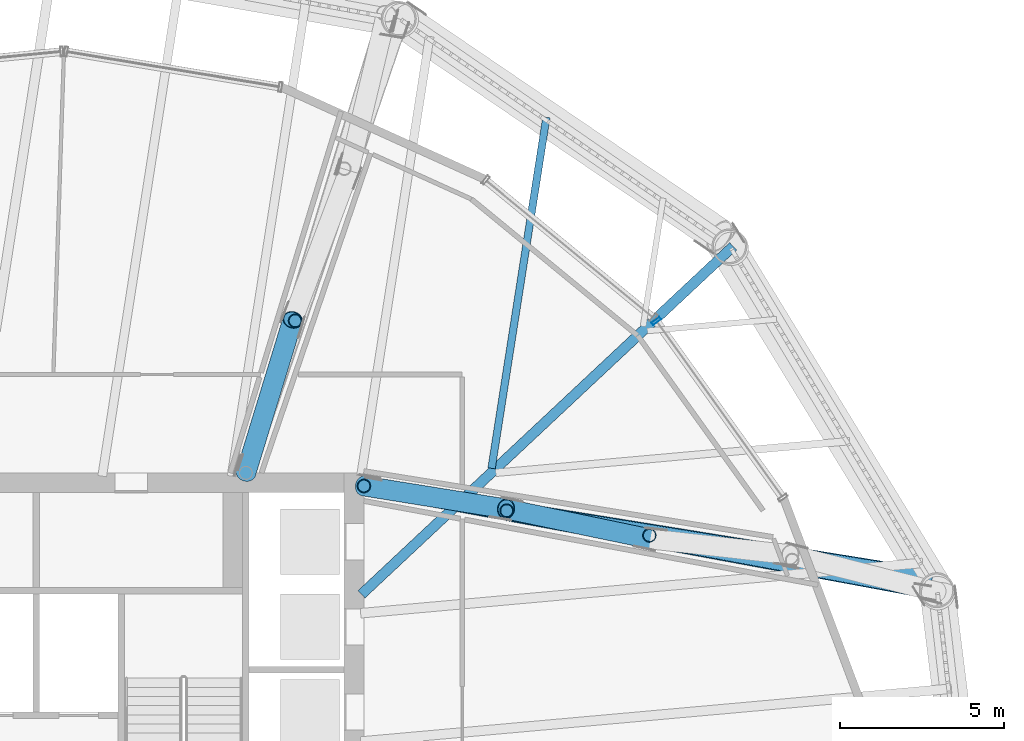
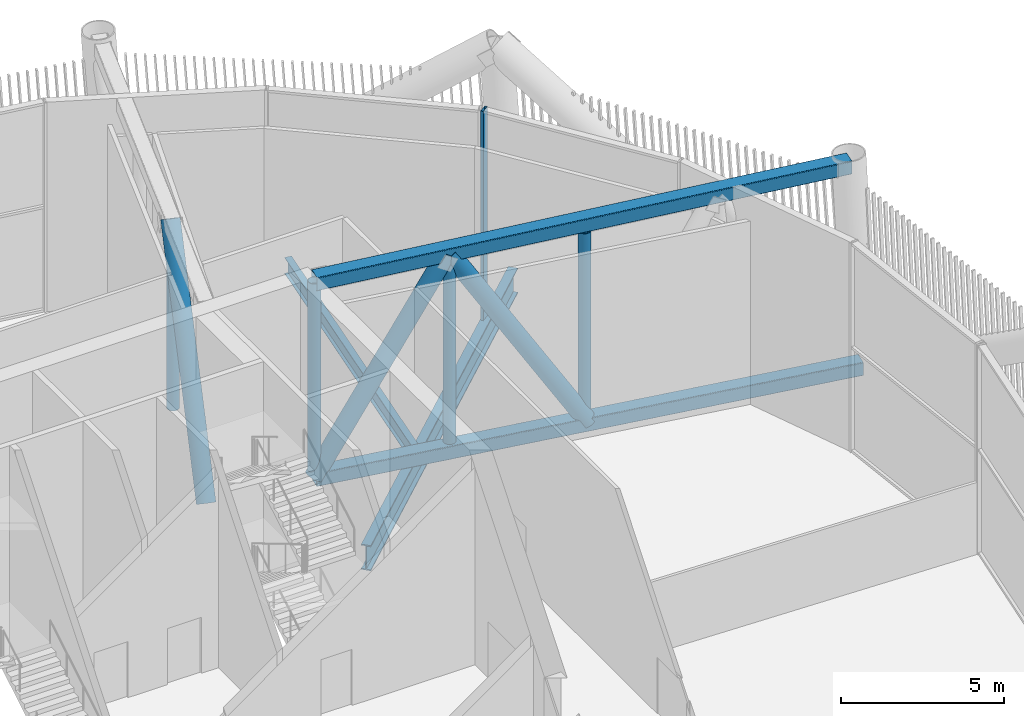
# One storey, part 24 of 55: 10 members, 2 beams, 1 element without a shape of its own.
"""IFC4 building model written with IfcOpenShell, lengths in metres."""

from ifc_helpers import new_model, si_unit, direction, frame, origin, origin_2d, place, context, subcontext, project, spatial, hollow_rectangle, hollow_circle, i_section, extrude, material, layer, layer_set, material_profile, profile_set, type_object, element, aggregate, save


model = new_model("IFC4")

# Units and contexts
model_context = context("Model", 3, precision=1e-05, world=origin(), true_north=direction((0.0, 1.0)))
body_context = subcontext(model_context, "Body", "Model", "MODEL_VIEW")
ifc_project = project(units=[si_unit("LENGTHUNIT", "METRE"), si_unit("AREAUNIT", "SQUARE_METRE"), si_unit("VOLUMEUNIT", "CUBIC_METRE"), si_unit("PLANEANGLEUNIT", "RADIAN"), si_unit("MASSUNIT", "GRAM", prefix="KILO")], contexts=[model_context])

# Site, building, storey
site_placement = place(None, origin())
site = spatial("IfcSite", under=ifc_project, at=site_placement, CompositionType="ELEMENT")
building_placement = place(site_placement, origin())
building = spatial("IfcBuilding", under=site, at=building_placement, Name="Tarsis Ring Headquarters", CompositionType="ELEMENT")
storey_placement = place(building_placement, frame((0.0, 0.0, 247.199951171875)))
storey = spatial("IfcBuildingStorey", under=building, at=storey_placement, Name="L58", CompositionType="ELEMENT", Elevation=247.199951171875)

# Curtain wall, member
ifc_material_1 = material(Name="Aluminium curtain wall", Category="aluminium")
ifc_layer = layer(ifc_material_1, 0.300048828125)
ifc_layer_set = layer_set([ifc_layer], Name="Curtain wall upper sky lobby")
curtain_wall_type = type_object("IfcCurtainWallType", Name="Curtain wall upper sky lobby", PredefinedType="NOTDEFINED", material=ifc_layer_set)
curtain_wall_placement = place(storey_placement, origin())
curtain_wall = element("IfcCurtainWall", 1, at=curtain_wall_placement, inside=storey, type_object=curtain_wall_type, Name="Curtain wall L58-23", PredefinedType="NOTDEFINED")
ifc_material_2 = material(Name="Aluminium mullion", Category="aluminium")
ifc_material_profile_1 = material_profile(ifc_material_2, hollow_rectangle(XDim=0.300048828125, YDim=0.090087890625, WallThickness=0.0048828125, at=origin_2d()), Name="RHS 300x90x5")
ifc_profile_set_1 = profile_set([ifc_material_profile_1], Name="Aluminium mullion")
member_type_1 = type_object("IfcMemberType", Name="Curtain wall mullion upper sky lobby RHS 300x90x5", PredefinedType="MULLION", material=ifc_profile_set_1)
member_1_placement = place(storey_placement, frame((18.921875, 17.635498046875, 0.0), z_axis=(0.0, 0.0, 1.0), x_axis=(-0.812897588573, -0.582406653888, 0.0)))
member_1 = element("IfcMember", 2, at=member_1_placement, type_object=member_type_1, Name="CW-U mullion 2", PredefinedType="MULLION", context=body_context, shape_type="SweptSolid", body=[
    extrude(hollow_rectangle(XDim=0.300048828125, YDim=0.090087890625, WallThickness=0.0048828125, at=origin_2d()), origin(), (0.0, 0.0, 1.0), 7.840087890625),
])
aggregate(curtain_wall, [member_1])

# Beams
ifc_material_3 = material(Name="Structural steel S355", Category="steel")
ifc_material_profile_2 = material_profile(ifc_material_3, i_section(OverallWidth=0.228271484375, OverallDepth=0.607177734375, WebThickness=0.01123046875, FlangeThickness=0.017333984375, at=origin_2d()), Name="W24x76")
ifc_profile_set_2 = profile_set([ifc_material_profile_2], Name="Structural steel S355")
beam_type_1 = type_object("IfcBeamType", Name="FB Floor beam W24x76", PredefinedType="JOIST", material=ifc_profile_set_2)
beam_1_placement = place(storey_placement, frame((15.568115234375, 23.849853515625, -0.603515625), z_axis=(-0.154365200643, -0.988013858623, 0.0), x_axis=(0.988013858623, -0.154365200643, 0.0)))
element("IfcBeam", 3, at=beam_1_placement, inside=storey, type_object=beam_type_1, Name="Floor beam FB4", PredefinedType="JOIST", context=body_context, shape_type="SweptSolid", body=[
    extrude(i_section(OverallWidth=0.228271484375, OverallDepth=0.607177734375, WebThickness=0.01123046875, FlangeThickness=0.017333984375, at=origin_2d()), origin(), (0.0, 0.0, 1.0), 10.840087890625),
])
ifc_material_profile_3 = material_profile(ifc_material_3, i_section(OverallWidth=0.309814453125, OverallDepth=0.949951171875, WebThickness=0.0244140625, FlangeThickness=0.0439453125, at=origin_2d()), Name="W36x256")
ifc_profile_set_3 = profile_set([ifc_material_profile_3], Name="Structural steel S355")
beam_type_2 = type_object("IfcBeamType", Name="FB Floor beam W36x256 spine", PredefinedType="BEAM", material=ifc_profile_set_3)
beam_2_placement = place(storey_placement, frame((21.264892578125, 19.913330078125, -0.77490234375), z_axis=(-0.729925288441, -0.683526936773, 0.0), x_axis=(0.683526936773, -0.729925288441, 0.0)))
element("IfcBeam", 4, at=beam_2_placement, inside=storey, type_object=beam_type_2, Name="Floor beam SB11", PredefinedType="BEAM", context=body_context, shape_type="SweptSolid", body=[
    extrude(i_section(OverallWidth=0.309814453125, OverallDepth=0.949951171875, WebThickness=0.0244140625, FlangeThickness=0.0439453125, at=origin_2d()), origin(), (0.0, 0.0, 1.0), 15.532958984375),
])

# Members
ifc_material_profile_4 = material_profile(ifc_material_3, hollow_rectangle(XDim=0.508056640625, YDim=0.508056640625, WallThickness=0.025390625, InnerFilletRadius=0.025390625, OuterFilletRadius=0.05078125, at=origin_2d()), Name="HSS 508x508x25")
ifc_profile_set_4 = profile_set([ifc_material_profile_4], Name="Structural steel S355")
member_type_2 = type_object("IfcMemberType", Name="OC Outrigger chord HSS 508x508x25", PredefinedType="CHORD", material=ifc_profile_set_4)
member_2_placement = place(storey_placement, frame((10.0, 12.60009765625, 0.254150390625), z_axis=(0.983340549429, -0.181772835838, 0.0), x_axis=(0.181772835838, 0.983340549429, 0.0)))
element("IfcMember", 5, at=member_2_placement, inside=storey, type_object=member_type_2, Name="Outrigger chord OC1", PredefinedType="CHORD", context=body_context, shape_type="SweptSolid", body=[
    extrude(hollow_rectangle(XDim=0.508056640625, YDim=0.508056640625, WallThickness=0.025390625, InnerFilletRadius=0.025390625, OuterFilletRadius=0.05078125, at=origin_2d()), origin(), (0.0, 0.0, 1.0), 17.79345703125),
])
member_3_placement = place(storey_placement, frame((10.0, 12.60009765625, 7.5859375), z_axis=(0.98725654957, -0.15913675041, 0.0), x_axis=(0.15913675041, 0.98725654957, 0.0)))
element("IfcMember", 6, at=member_3_placement, inside=storey, type_object=member_type_2, Name="Outrigger chord OC1", PredefinedType="CHORD", context=body_context, shape_type="SweptSolid", body=[
    extrude(hollow_rectangle(XDim=0.508056640625, YDim=0.508056640625, WallThickness=0.025390625, InnerFilletRadius=0.025390625, OuterFilletRadius=0.05078125, at=origin_2d()), origin(), (0.0, 0.0, 1.0), 17.567626953125),
])
ifc_material_profile_5 = material_profile(ifc_material_3, hollow_circle(Radius=0.3046875, WallThickness=0.02490234375, at=origin_2d()), Name="CHS 610x25")
ifc_profile_set_5 = profile_set([ifc_material_profile_5], Name="Structural steel S355")
member_type_3 = type_object("IfcMemberType", Name="OD Outrigger diagonal CHS 610x25", PredefinedType="BRACE", material=ifc_profile_set_5)
member_4_placement = place(storey_placement, frame((10.0, 12.60009765625, 0.254150390625), z_axis=(0.507330152713, -0.081784134415, 0.857862151809), x_axis=(0.159150295618, 0.987254366111, 0.0)))
element("IfcMember", 7, at=member_4_placement, inside=storey, type_object=member_type_3, Name="Outrigger diagonal OD1", PredefinedType="BRACE", context=body_context, shape_type="SweptSolid", body=[
    extrude(hollow_circle(Radius=0.3046875, WallThickness=0.02490234375, at=origin_2d()), origin(), (0.0, 0.0, 1.0), 8.546630859375),
])
member_5_placement = place(storey_placement, frame((14.3359375, 11.901123046875, 7.5859375), z_axis=(0.512714263817, -0.10669018182, -0.851904506844), x_axis=(0.203724959348, 0.979028161463, 0.0)))
element("IfcMember", 8, at=member_5_placement, inside=storey, type_object=member_type_3, Name="Outrigger diagonal OD1", PredefinedType="BRACE", context=body_context, shape_type="SweptSolid", body=[
    extrude(hollow_circle(Radius=0.3046875, WallThickness=0.02490234375, at=origin_2d()), origin(), (0.0, 0.0, 1.0), 8.6064453125),
])
member_6_placement = place(storey_placement, frame((6.39990234375, 13.0, 0.254150390625), z_axis=(0.162259934441, 0.530123020654, 0.832250741453), x_axis=(-0.956211376149, 0.292676962065, 0.0)))
element("IfcMember", 9, at=member_6_placement, inside=storey, type_object=member_type_3, Name="Outrigger diagonal OD1", PredefinedType="BRACE", context=body_context, shape_type="SweptSolid", body=[
    extrude(hollow_circle(Radius=0.3046875, WallThickness=0.02490234375, at=origin_2d()), origin(), (0.0, 0.0, 1.0), 8.8095703125),
])
ifc_material_profile_6 = material_profile(ifc_material_3, hollow_circle(Radius=0.203125, WallThickness=0.01611328125, at=origin_2d()), Name="CHS 406x16")
ifc_profile_set_6 = profile_set([ifc_material_profile_6], Name="Structural steel S355")
member_type_4 = type_object("IfcMemberType", Name="OV Outrigger post CHS 406x16", PredefinedType="STRUT", material=ifc_profile_set_6)
member_7_placement = place(storey_placement, frame((10.0, 12.60009765625, 0.508056640625), z_axis=(0.0, 0.0, 1.0), x_axis=(1.0, 0.0, 0.0)))
element("IfcMember", 10, at=member_7_placement, inside=storey, type_object=member_type_4, Name="Outrigger post OV1", PredefinedType="STRUT", context=body_context, shape_type="SweptSolid", body=[
    extrude(hollow_circle(Radius=0.203125, WallThickness=0.01611328125, at=origin_2d()), origin(), (0.0, 0.0, 1.0), 7.077880859375),
])
for number, where, z_axis, x_axis, name in (
    (11, (14.355224609375, 11.84619140625, 0.508056640625), (0.0, 0.0, 1.0), (1.0, 0.0, 0.0), "Outrigger post OV1"),
    (12, (18.710205078125, 11.092529296875, 0.508056640625), (0.0, 0.0, 1.0), (1.0, 0.0, 0.0), "Outrigger post OV1"),
    (13, (7.901123046875, 17.64111328125, 0.508056640625), (0.0, 0.0, 1.0), (1.0, 0.0, 0.0), "Outrigger post OV1"),
):
    element("IfcMember", number, at=place(storey_placement, frame(where, z_axis=z_axis, x_axis=x_axis)), inside=storey, type_object=member_type_4, Name=name, PredefinedType="STRUT", context=body_context, shape_type="SweptSolid", body=[
        extrude(hollow_circle(Radius=0.203125, WallThickness=0.01611328125, at=origin_2d()), origin(), (0.0, 0.0, 1.0), 6.823974609375),
    ])

save(model, "model.ifc")
